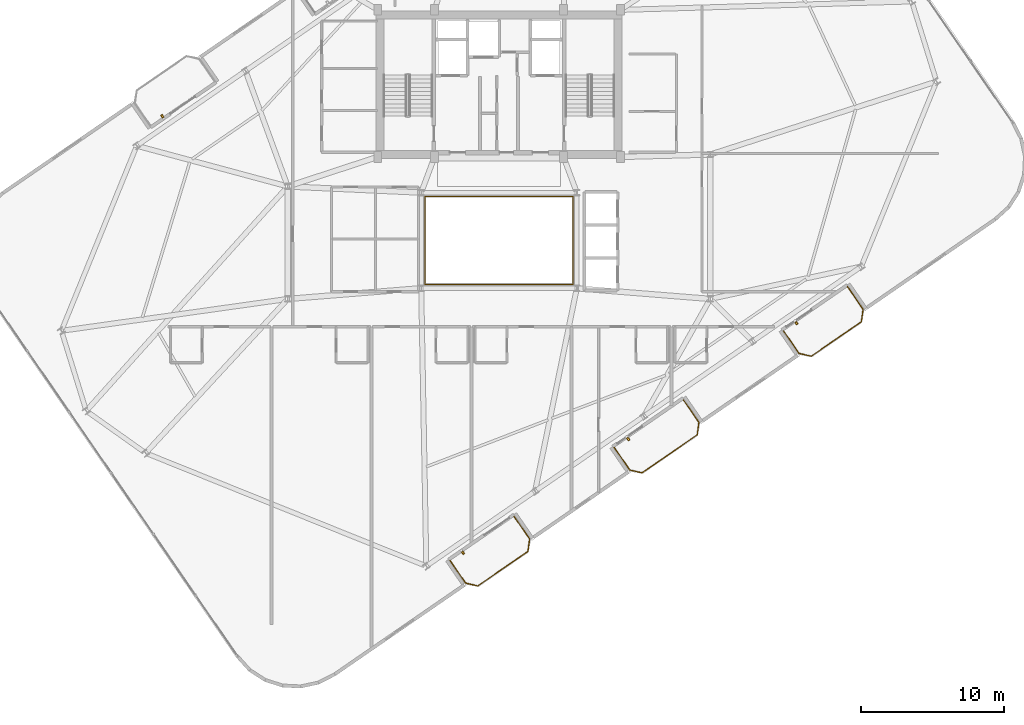
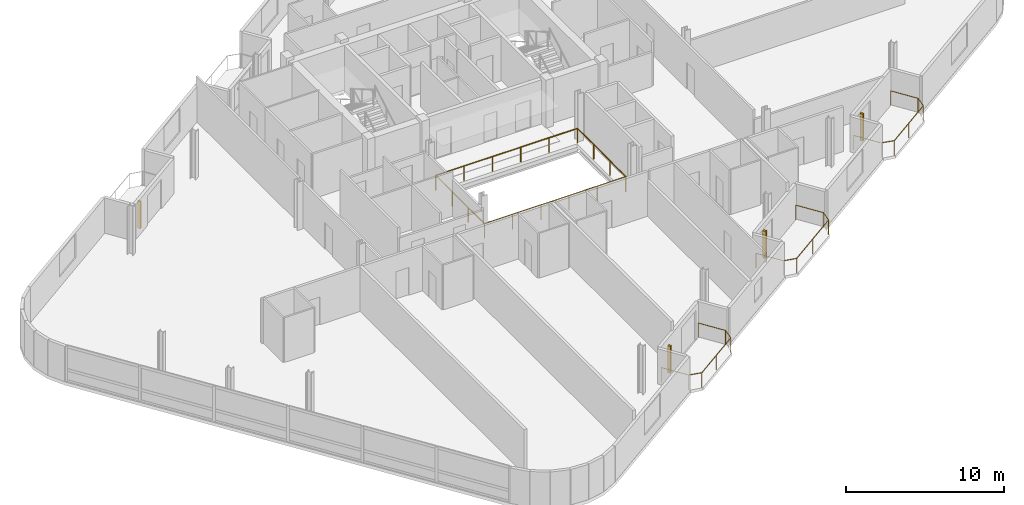
# One storey, part 20 of 22: 5 railings, 4 shading devices.
"""IFC4 building model written with IfcOpenShell, lengths in metres."""

import ifcopenshell
import ifcopenshell.guid

model = None  # the IFC model being written
_history = None  # IfcOwnerHistory: only IFC2X3 demands one
_inside = {}  # id of a spatial element -> (the spatial element, [elements in it])
_under = {}  # id of a project, library or spatial element -> (it, [spatial elements below it])
_declared = {}  # id of a project -> (the project, [libraries it declares])
_typed = {}  # id of a type object -> (the type object, [elements of that type])
_made_of = {}  # id of a material, layer set ... -> (it, [elements and type objects made of it])


def new_model(schema):
    """Start an empty IFC model of exactly this schema.

    Asked for "IFC4X3", IfcOpenShell would pick the latest addendum, in which some entities
    have other attributes; the version numbers below select the first issue.
    IFC2X3 requires an IfcOwnerHistory on every rooted entity: one is made here for all.
    """
    global model, _history
    if schema == "IFC4X3":
        model = ifcopenshell.file(schema_version=(4, 3, 0, 0))
    else:
        model = ifcopenshell.file(schema=schema)
    _inside.clear()
    _under.clear()
    _declared.clear()
    _typed.clear()
    _made_of.clear()
    _history = None
    if model.schema == "IFC2X3":
        org = make("IfcOrganization", Name="unknown")
        user = make(
            "IfcPersonAndOrganization",
            ThePerson=make("IfcPerson", FamilyName="unknown"),
            TheOrganization=org,
        )
        app = make(
            "IfcApplication",
            ApplicationDeveloper=org,
            Version="unknown",
            ApplicationFullName="unknown",
            ApplicationIdentifier="unknown",
        )
        _history = make(
            "IfcOwnerHistory",
            OwningUser=user,
            OwningApplication=app,
            ChangeAction="ADDED",
            CreationDate=0,
        )
    return model


def make(cls, **values):
    """One entity of the class cls with the attributes given. An attribute that is None is left unset."""
    return model.create_entity(
        cls, **{name: value for name, value in values.items() if value is not None}
    )


def rooted(cls, **values):
    """An entity with a GlobalId (a new one), such as an element, a storey or a relation."""
    return make(cls, GlobalId=ifcopenshell.guid.new(), OwnerHistory=_history, **values)


def si_unit(unit_type, name, prefix=None):
    """IfcSIUnit, for example si_unit("LENGTHUNIT", "METRE", prefix="MILLI")."""
    return make("IfcSIUnit", UnitType=unit_type, Prefix=prefix, Name=name)


def assignment(units):
    """IfcUnitAssignment: the units of a project."""
    return None if units is None else make("IfcUnitAssignment", Units=units)


def point(xyz):
    """IfcCartesianPoint."""
    return None if xyz is None else make("IfcCartesianPoint", Coordinates=xyz)


def direction(xyz):
    """IfcDirection."""
    return None if xyz is None else make("IfcDirection", DirectionRatios=xyz)


def frame(location, z_axis=None, x_axis=None):
    """IfcAxis2Placement3D, a coordinate frame: its origin and axes. An axis left out is left unset."""
    return make(
        "IfcAxis2Placement3D",
        Location=point(location),
        Axis=direction(z_axis),
        RefDirection=direction(x_axis),
    )


def frame_2d(location, x_axis=None):
    """IfcAxis2Placement2D, a coordinate frame in the plane: its origin and x axis."""
    return make(
        "IfcAxis2Placement2D", Location=point(location), RefDirection=direction(x_axis)
    )


def origin():
    """The frame at (0, 0, 0) with its axes left unset."""
    return frame((0.0, 0.0, 0.0))


def origin_2d():
    """The frame at (0, 0) in the plane with its x axis left unset."""
    return frame_2d((0.0, 0.0))


def place(relative_to, where):
    """IfcLocalPlacement: puts the frame where relative to a parent placement (None: the world)."""
    return make(
        "IfcLocalPlacement", PlacementRelTo=relative_to, RelativePlacement=where
    )


def context(
    kind, dimensions, precision=None, world=None, true_north=None, identifier=None
):
    """IfcGeometricRepresentationContext, for example the 3D "Model" context."""
    return make(
        "IfcGeometricRepresentationContext",
        ContextIdentifier=identifier,
        ContextType=kind,
        CoordinateSpaceDimension=dimensions,
        Precision=precision,
        WorldCoordinateSystem=world,
        TrueNorth=true_north,
    )


def subcontext(parent, identifier, kind, view, scale=None):
    """IfcGeometricRepresentationSubContext, for example "Body" below "Model"."""
    return make(
        "IfcGeometricRepresentationSubContext",
        ContextIdentifier=identifier,
        ContextType=kind,
        ParentContext=parent,
        TargetScale=scale,
        TargetView=view,
    )


def project(units=None, contexts=None):
    """IfcProject with its units and contexts."""
    return rooted(
        "IfcProject",
        Name="project",
        RepresentationContexts=contexts,
        UnitsInContext=assignment(units),
    )


def spatial(cls, under=None, at=None, **own):
    """A site, building, storey or space (cls), placed at a placement, below another one or the project."""
    s = rooted(cls, ObjectPlacement=at, **own)
    if under is not None:
        _under.setdefault(under.id(), (under, []))[1].append(s)
    return s


def profile(cls, at=None, kind="AREA", **sizes):
    """A parametric profile (cls). Its sizes go by their IFC names, for example OverallWidth=200.0."""
    return make(cls, ProfileType=kind, Position=at, **sizes)


def rectangle(**sizes):
    """IfcRectangleProfileDef."""
    return profile("IfcRectangleProfileDef", **sizes)


def circle(**sizes):
    """IfcCircleProfileDef."""
    return profile("IfcCircleProfileDef", **sizes)


def extrude(swept, where, along, depth):
    """IfcExtrudedAreaSolid: the profile swept, set in the frame where, extruded along a direction by depth."""
    return make(
        "IfcExtrudedAreaSolid",
        SweptArea=swept,
        Position=where,
        ExtrudedDirection=direction(along),
        Depth=depth,
    )


def shape(context_of_items, identifier, shape_type, items):
    """IfcShapeRepresentation: the items that make up one representation, for example the "Body"."""
    return make(
        "IfcShapeRepresentation",
        ContextOfItems=context_of_items,
        RepresentationIdentifier=identifier,
        RepresentationType=shape_type,
        Items=items,
    )


def source(mapping_origin, context_of_items, identifier, shape_type, items):
    """IfcRepresentationMap: a shape defined once, which mapped items show again and again."""
    return make(
        "IfcRepresentationMap",
        MappingOrigin=mapping_origin,
        MappedRepresentation=shape(context_of_items, identifier, shape_type, items),
    )


def transform(
    local_origin,
    x_axis=None,
    y_axis=None,
    z_axis=None,
    scale=None,
    scale2=None,
    scale3=None,
    uniform=True,
):
    """IfcCartesianTransformationOperator3D, or its non-uniform kind. x_axis, y_axis, z_axis: its Axis1, 2, 3."""
    if uniform:
        return make(
            "IfcCartesianTransformationOperator3D",
            Axis1=direction(x_axis),
            Axis2=direction(y_axis),
            LocalOrigin=point(local_origin),
            Scale=scale,
            Axis3=direction(z_axis),
        )
    return make(
        "IfcCartesianTransformationOperator3DnonUniform",
        Axis1=direction(x_axis),
        Axis2=direction(y_axis),
        LocalOrigin=point(local_origin),
        Scale=scale,
        Axis3=direction(z_axis),
        Scale2=scale2,
        Scale3=scale3,
    )


def mapped(mapping_source, mapping_target):
    """IfcMappedItem: shows the shape of a source again, moved by a transform."""
    return make(
        "IfcMappedItem", MappingSource=mapping_source, MappingTarget=mapping_target
    )


def material(Name=None, Category=None):
    """IfcMaterial."""
    return make("IfcMaterial", Name=Name, Category=Category)


def made_of(thing, what):
    """Note that an element or type object is made of a material, layer set ...; save() writes the relation."""
    if what is not None:
        _made_of.setdefault(what.id(), (what, []))[1].append(thing)
    return thing


def type_object(cls, material=None, **own):
    """A type object (cls), such as IfcWallType, which elements share."""
    return made_of(rooted(cls, **own), material)


def element(
    cls,
    number,
    at=None,
    inside=None,
    cuts=None,
    type_object=None,
    material=None,
    context=None,
    identifier="Body",
    shape_type=None,
    held_by="IfcProductDefinitionShape",
    body=None,
    shapes=None,
    **own,
):
    """One element of the class cls, such as IfcWall. Its Tag is "e" and its number.

    at: its placement. inside: the storey or other place that contains it. cuts: it is an
    opening in that element (IfcRelVoidsElement). A single representation is given by context,
    identifier, shape_type and body (its items); several are given by shapes. held_by: the class
    of the entity that holds the representations. save() writes the other relations.
    """
    e = rooted(cls, Tag="e%d" % number, ObjectPlacement=at, **own)
    if body is not None:
        shapes = [shape(context, identifier, shape_type, body)]
    if shapes is not None:
        e.Representation = make(held_by, Representations=shapes)
    if inside is not None:
        _inside.setdefault(inside.id(), (inside, []))[1].append(e)
    if cuts is not None:
        rooted(
            "IfcRelVoidsElement", RelatingBuildingElement=cuts, RelatedOpeningElement=e
        )
    if type_object is not None:
        _typed.setdefault(type_object.id(), (type_object, []))[1].append(e)
    return made_of(e, material)


def aggregate(whole, parts):
    """IfcRelAggregates: a whole, such as a stair, and the parts it consists of."""
    return rooted("IfcRelAggregates", RelatingObject=whole, RelatedObjects=parts)


def save(model, path):
    """Write the relations noted so far, then the file.

    IfcRelAggregates (storeys below a building ...), IfcRelContainedInSpatialStructure (elements
    in a storey), IfcRelDefinesByType, IfcRelAssociatesMaterial and IfcRelDeclares: one each for
    every whole, place, type object, material and project.
    """
    for whole, parts in _under.values():
        aggregate(whole, parts)
    for where, things in _inside.values():
        rooted(
            "IfcRelContainedInSpatialStructure",
            RelatedElements=things,
            RelatingStructure=where,
        )
    for kind, things in _typed.values():
        rooted("IfcRelDefinesByType", RelatedObjects=things, RelatingType=kind)
    for what, things in _made_of.values():
        rooted("IfcRelAssociatesMaterial", RelatedObjects=things, RelatingMaterial=what)
    for by, libraries in _declared.values():
        rooted("IfcRelDeclares", RelatingContext=by, RelatedDefinitions=libraries)
    model.write(path)


model = new_model("IFC4")

# Units and contexts
model_context = context("Model", 3, precision=1e-05, world=origin(), true_north=direction((0.0, 1.0)))
body_context = subcontext(model_context, "Body", "Model", "MODEL_VIEW")
ifc_project = project(units=[si_unit("LENGTHUNIT", "METRE"), si_unit("AREAUNIT", "SQUARE_METRE"), si_unit("VOLUMEUNIT", "CUBIC_METRE"), si_unit("PLANEANGLEUNIT", "RADIAN"), si_unit("MASSUNIT", "GRAM", prefix="KILO")], contexts=[model_context])

# Site, building, storey
site_placement = place(None, origin())
site = spatial("IfcSite", under=ifc_project, at=site_placement, CompositionType="ELEMENT")
building_placement = place(site_placement, origin())
building = spatial("IfcBuilding", under=site, at=building_placement, Name="Varnelok Gate Tower", CompositionType="ELEMENT")
storey_placement = place(building_placement, frame((0.0, 0.0, 284.10009765625)))
storey = spatial("IfcBuildingStorey", under=building, at=storey_placement, Name="L73", CompositionType="ELEMENT", Elevation=284.10009765625)

# Railings
ifc_material_1 = material(Name="Tempered Laminated Balustrade Glass", Category="glass")
railing_type_1 = type_object("IfcRailingType", Name="RL-ATR-GUARD1150", PredefinedType="GUARDRAIL", material=ifc_material_1)
railing_1_placement = place(storey_placement, frame((34.02001953125, 25.929931640625, 0.0)))
element("IfcRailing", 1, at=railing_1_placement, inside=storey, type_object=railing_type_1, Name="L73 Internal Atrium South-West Guardrail", PredefinedType="GUARDRAIL", context=body_context, shape_type="SweptSolid", body=[
    extrude(circle(Radius=0.02392578125, at=origin_2d()), frame((0.0, 0.0, 1.1259765625), z_axis=(0.0, -1.0, 0.0), x_axis=(1.0, 0.0, 0.0)), (0.0, 0.0, 1.0), 6.10986328125),
    extrude(circle(Radius=0.02392578125, at=origin_2d()), frame((0.0, -6.10986328125, 1.1259765625), z_axis=(1.0, 0.0, 0.0), x_axis=(0.0, 1.0, 0.0)), (0.0, 0.0, 1.0), 10.31005859375),
    extrude(circle(Radius=0.02099609375, at=origin_2d()), origin(), (0.0, 0.0, 1.0), 1.101806640625),
    extrude(circle(Radius=0.02099609375, at=origin_2d()), frame((0.0, -2.03662109375, 0.0)), (0.0, 0.0, 1.0), 1.101806640625),
    extrude(circle(Radius=0.02099609375, at=origin_2d()), frame((0.0, -4.0732421875, 0.0)), (0.0, 0.0, 1.0), 1.101806640625),
    extrude(circle(Radius=0.02099609375, at=origin_2d()), frame((0.0, -6.10986328125, 0.0)), (0.0, 0.0, 1.0), 1.101806640625),
    extrude(circle(Radius=0.02099609375, at=origin_2d()), frame((2.06201171875, -6.10986328125, 0.0)), (0.0, 0.0, 1.0), 1.101806640625),
    extrude(circle(Radius=0.02099609375, at=origin_2d()), frame((4.1240234375, -6.10986328125, 0.0)), (0.0, 0.0, 1.0), 1.101806640625),
    extrude(circle(Radius=0.02099609375, at=origin_2d()), frame((6.18603515625, -6.10986328125, 0.0)), (0.0, 0.0, 1.0), 1.101806640625),
    extrude(circle(Radius=0.02099609375, at=origin_2d()), frame((8.248046875, -6.10986328125, 0.0)), (0.0, 0.0, 1.0), 1.101806640625),
    extrude(circle(Radius=0.02099609375, at=origin_2d()), frame((10.31005859375, -6.10986328125, 0.0)), (0.0, 0.0, 1.0), 1.101806640625),
])
railing_2_placement = place(storey_placement, frame((44.3798828125, 19.820068359375, 0.0)))
element("IfcRailing", 2, at=railing_2_placement, inside=storey, type_object=railing_type_1, Name="L73 Internal Atrium North-East Guardrail", PredefinedType="GUARDRAIL", context=body_context, shape_type="SweptSolid", body=[
    extrude(circle(Radius=0.02392578125, at=origin_2d()), frame((0.0, 0.0, 1.1259765625), z_axis=(0.0, 1.0, 0.0), x_axis=(-1.0, 0.0, 0.0)), (0.0, 0.0, 1.0), 6.159912109375),
    extrude(circle(Radius=0.02392578125, at=origin_2d()), frame((0.0, 6.159912109375, 1.1259765625), z_axis=(-1.0, 0.0, 0.0), x_axis=(0.0, -1.0, 0.0)), (0.0, 0.0, 1.0), 10.35986328125),
    extrude(circle(Radius=0.02099609375, at=origin_2d()), origin(), (0.0, 0.0, 1.0), 1.101806640625),
    extrude(circle(Radius=0.02099609375, at=origin_2d()), frame((0.0, 2.05322265625, 0.0)), (0.0, 0.0, 1.0), 1.101806640625),
    extrude(circle(Radius=0.02099609375, at=origin_2d()), frame((0.0, 4.106689453125, 0.0)), (0.0, 0.0, 1.0), 1.101806640625),
    extrude(circle(Radius=0.02099609375, at=origin_2d()), frame((0.0, 6.159912109375, 0.0)), (0.0, 0.0, 1.0), 1.101806640625),
    extrude(circle(Radius=0.02099609375, at=origin_2d()), frame((-2.072021484375, 6.159912109375, 0.0)), (0.0, 0.0, 1.0), 1.101806640625),
    extrude(circle(Radius=0.02099609375, at=origin_2d()), frame((-4.14404296875, 6.159912109375, 0.0)), (0.0, 0.0, 1.0), 1.101806640625),
    extrude(circle(Radius=0.02099609375, at=origin_2d()), frame((-6.2158203125, 6.159912109375, 0.0)), (0.0, 0.0, 1.0), 1.101806640625),
    extrude(circle(Radius=0.02099609375, at=origin_2d()), frame((-8.287841796875, 6.159912109375, 0.0)), (0.0, 0.0, 1.0), 1.101806640625),
    extrude(circle(Radius=0.02099609375, at=origin_2d()), frame((-10.35986328125, 6.159912109375, 0.0)), (0.0, 0.0, 1.0), 1.101806640625),
])
ifc_material_2 = material(Name="Low-E Laminated Double Glazing IGU", Category="glass")
railing_type_2 = type_object("IfcRailingType", Name="RL-BALC-1150", PredefinedType="BALUSTRADE", material=ifc_material_2)
railing_3_placement = place(storey_placement, frame((35.77099609375, 0.473876953125, 0.0)))
element("IfcRailing", 3, at=railing_3_placement, inside=storey, type_object=railing_type_2, Name="L73 South Terrace Balustrade 1", PredefinedType="BALUSTRADE", context=body_context, shape_type="SweptSolid", body=[
    extrude(circle(Radius=0.02392578125, at=origin_2d()), frame((0.0, 0.0, 1.1259765625), z_axis=(0.567224752248, -0.823563039747, 0.0), x_axis=(0.823563039747, 0.567224752248, 0.0)), (0.0, 0.0, 1.0), 1.920166015625),
    extrude(circle(Radius=0.02392578125, at=origin_2d()), frame((1.089111328125, -1.581298828125, 1.1259765625), z_axis=(0.973526462254, -0.228574336467, 0.0), x_axis=(0.228574336467, 0.973526462254, 0.0)), (0.0, 0.0, 1.0), 0.8779296875),
    extrude(circle(Radius=0.02392578125, at=origin_2d()), frame((1.94384765625, -1.781982421875, 1.1259765625), z_axis=(0.823512353028, 0.5672983381, 0.0), x_axis=(-0.5672983381, 0.823512353028, 0.0)), (0.0, 0.0, 1.0), 4.26708984375),
    extrude(circle(Radius=0.02392578125, at=origin_2d()), frame((5.457763671875, 0.638671875, 1.1259765625), z_axis=(0.133475040405, 0.991052175008, 0.0), x_axis=(-0.991052175008, 0.133475040405, 0.0)), (0.0, 0.0, 1.0), 0.8779296875),
    extrude(circle(Radius=0.02392578125, at=origin_2d()), frame((5.574951171875, 1.5087890625, 1.1259765625), z_axis=(-0.567284155424, 0.82352212296, 0.0), x_axis=(-0.82352212296, -0.567284155424, 0.0)), (0.0, 0.0, 1.0), 1.919921875),
    extrude(circle(Radius=0.02099609375, at=origin_2d()), origin(), (0.0, 0.0, 1.0), 1.101806640625),
    extrude(circle(Radius=0.02099609375, at=origin_2d()), frame((1.089111328125, -1.581298828125, 0.0)), (0.0, 0.0, 1.0), 1.101806640625),
    extrude(circle(Radius=0.02099609375, at=origin_2d()), frame((1.94384765625, -1.781982421875, 0.0)), (0.0, 0.0, 1.0), 1.101806640625),
    extrude(circle(Radius=0.02099609375, at=origin_2d()), frame((3.70068359375, -0.57177734375, 0.0)), (0.0, 0.0, 1.0), 1.101806640625),
    extrude(circle(Radius=0.02099609375, at=origin_2d()), frame((5.457763671875, 0.638671875, 0.0)), (0.0, 0.0, 1.0), 1.101806640625),
    extrude(circle(Radius=0.02099609375, at=origin_2d()), frame((5.574951171875, 1.5087890625, 0.0)), (0.0, 0.0, 1.0), 1.101806640625),
    extrude(circle(Radius=0.02099609375, at=origin_2d()), frame((4.48583984375, 3.08984375, 0.0)), (0.0, 0.0, 1.0), 1.101806640625),
])
railing_4_placement = place(storey_placement, frame((47.273193359375, 8.39697265625, 0.0)))
element("IfcRailing", 4, at=railing_4_placement, inside=storey, type_object=railing_type_2, Name="L73 South Terrace Balustrade 2", PredefinedType="BALUSTRADE", context=body_context, shape_type="SweptSolid", body=[
    extrude(circle(Radius=0.02392578125, at=origin_2d()), frame((0.0, 0.0, 1.1259765625), z_axis=(0.567224752248, -0.823563039747, 0.0), x_axis=(0.823563039747, 0.567224752248, 0.0)), (0.0, 0.0, 1.0), 1.920166015625),
    extrude(circle(Radius=0.02392578125, at=origin_2d()), frame((1.089111328125, -1.581298828125, 1.1259765625), z_axis=(0.973526462254, -0.228574336467, 0.0), x_axis=(0.228574336467, 0.973526462254, 0.0)), (0.0, 0.0, 1.0), 0.8779296875),
    extrude(circle(Radius=0.02392578125, at=origin_2d()), frame((1.94384765625, -1.781982421875, 1.1259765625), z_axis=(0.823523239622, 0.567282534371, 0.0), x_axis=(-0.567282534371, 0.823523239622, 0.0)), (0.0, 0.0, 1.0), 4.699951171875),
    extrude(circle(Radius=0.02392578125, at=origin_2d()), frame((5.814453125, 0.88427734375, 1.1259765625), z_axis=(0.133511834152, 0.991047218926, 0.0), x_axis=(-0.991047218926, 0.133511834152, 0.0)), (0.0, 0.0, 1.0), 0.877685546875),
    extrude(circle(Radius=0.02392578125, at=origin_2d()), frame((5.931640625, 1.754150390625, 1.1259765625), z_axis=(-0.567224752248, 0.823563039747, 0.0), x_axis=(-0.823563039747, -0.567224752248, 0.0)), (0.0, 0.0, 1.0), 1.920166015625),
    extrude(circle(Radius=0.02099609375, at=origin_2d()), origin(), (0.0, 0.0, 1.0), 1.101806640625),
    extrude(circle(Radius=0.02099609375, at=origin_2d()), frame((1.089111328125, -1.581298828125, 0.0)), (0.0, 0.0, 1.0), 1.101806640625),
    extrude(circle(Radius=0.02099609375, at=origin_2d()), frame((1.94384765625, -1.781982421875, 0.0)), (0.0, 0.0, 1.0), 1.101806640625),
    extrude(circle(Radius=0.02099609375, at=origin_2d()), frame((3.879150390625, -0.44873046875, 0.0)), (0.0, 0.0, 1.0), 1.101806640625),
    extrude(circle(Radius=0.02099609375, at=origin_2d()), frame((5.814453125, 0.88427734375, 0.0)), (0.0, 0.0, 1.0), 1.101806640625),
    extrude(circle(Radius=0.02099609375, at=origin_2d()), frame((5.931640625, 1.754150390625, 0.0)), (0.0, 0.0, 1.0), 1.101806640625),
    extrude(circle(Radius=0.02099609375, at=origin_2d()), frame((4.842529296875, 3.33544921875, 0.0)), (0.0, 0.0, 1.0), 1.101806640625),
])
railing_5_placement = place(storey_placement, frame((59.132080078125, 16.5654296875, 0.0)))
element("IfcRailing", 5, at=railing_5_placement, inside=storey, type_object=railing_type_2, Name="L73 South Terrace Balustrade 3", PredefinedType="BALUSTRADE", context=body_context, shape_type="SweptSolid", body=[
    extrude(circle(Radius=0.02392578125, at=origin_2d()), frame((0.0, 0.0, 1.1259765625), z_axis=(0.567284155424, -0.82352212296, 0.0), x_axis=(0.82352212296, 0.567284155424, 0.0)), (0.0, 0.0, 1.0), 1.919921875),
    extrude(circle(Radius=0.02392578125, at=origin_2d()), frame((1.089111328125, -1.5810546875, 1.1259765625), z_axis=(0.973526462254, -0.228574336467, 0.0), x_axis=(0.228574336467, 0.973526462254, 0.0)), (0.0, 0.0, 1.0), 0.8779296875),
    extrude(circle(Radius=0.02392578125, at=origin_2d()), frame((1.94384765625, -1.78173828125, 1.1259765625), z_axis=(0.823512353028, 0.5672983381, 0.0), x_axis=(-0.5672983381, 0.823512353028, 0.0)), (0.0, 0.0, 1.0), 4.26708984375),
    extrude(circle(Radius=0.02392578125, at=origin_2d()), frame((5.457763671875, 0.638916015625, 1.1259765625), z_axis=(0.133511834152, 0.991047218926, 0.0), x_axis=(-0.991047218926, 0.133511834152, 0.0)), (0.0, 0.0, 1.0), 0.877685546875),
    extrude(circle(Radius=0.02392578125, at=origin_2d()), frame((5.574951171875, 1.5087890625, 1.1259765625), z_axis=(-0.567224752248, 0.823563039747, 0.0), x_axis=(-0.823563039747, -0.567224752248, 0.0)), (0.0, 0.0, 1.0), 1.920166015625),
    extrude(circle(Radius=0.02099609375, at=origin_2d()), origin(), (0.0, 0.0, 1.0), 1.101806640625),
    extrude(circle(Radius=0.02099609375, at=origin_2d()), frame((1.089111328125, -1.5810546875, 0.0)), (0.0, 0.0, 1.0), 1.101806640625),
    extrude(circle(Radius=0.02099609375, at=origin_2d()), frame((1.94384765625, -1.78173828125, 0.0)), (0.0, 0.0, 1.0), 1.101806640625),
    extrude(circle(Radius=0.02099609375, at=origin_2d()), frame((3.70068359375, -0.5712890625, 0.0)), (0.0, 0.0, 1.0), 1.101806640625),
    extrude(circle(Radius=0.02099609375, at=origin_2d()), frame((5.457763671875, 0.638916015625, 0.0)), (0.0, 0.0, 1.0), 1.101806640625),
    extrude(circle(Radius=0.02099609375, at=origin_2d()), frame((5.574951171875, 1.5087890625, 0.0)), (0.0, 0.0, 1.0), 1.101806640625),
    extrude(circle(Radius=0.02099609375, at=origin_2d()), frame((4.48583984375, 3.090087890625, 0.0)), (0.0, 0.0, 1.0), 1.101806640625),
])

# Shading devices
ifc_material_3 = material(Name="Glazed Architectural Terracotta Ceramic", Category="masonry")
shading_device_type = type_object("IfcShadingDeviceType", Name="SHD-TERRA-FIN", PredefinedType="USERDEFINED", material=ifc_material_3)
shared_shape = source(origin(), body_context, "Body", "SweptSolid", [
    extrude(rectangle(XDim=0.139892578125, YDim=0.219970703125, at=origin_2d()), origin(), (0.0, 0.0, 1.0), 2.10009765625),
])
for number, where, z_axis, x_axis, name in (
    (6, (36.67822265625, 1.013671875, 0.099853515625), (0.0, 0.0, 1.0), (0.823532597628, 0.567268949127, 0.0), "L73 Terracotta Ceramic Baguette Sunscreen 1.1"),
    (7, (48.251708984375, 8.98583984375, 0.099853515625), (0.0, 0.0, 1.0), (0.823532597628, 0.567268949127, 0.0), "L73 Terracotta Ceramic Baguette Sunscreen 2.1"),
    (8, (60.039306640625, 17.10546875, 0.099853515625), (0.0, 0.0, 1.0), (0.823532597628, 0.567268949127, 0.0), "L73 Terracotta Ceramic Baguette Sunscreen 3.1"),
    (9, (15.60986328125, 31.599609375, 0.099853515625), (0.0, 0.0, 1.0), (0.823532597628, 0.567268949127, 0.0), "L73 Terracotta Ceramic Baguette Sunscreen 4.1"),
):
    element("IfcShadingDevice", number, at=place(storey_placement, frame(where, z_axis=z_axis, x_axis=x_axis)), inside=storey, type_object=shading_device_type, Name=name, ObjectType="BAGUETTE", PredefinedType="USERDEFINED", context=body_context, shape_type="MappedRepresentation", body=[
        mapped(shared_shape, transform((0.0, 0.0, 0.0), scale=1.0)),
    ])

save(model, "model.ifc")
